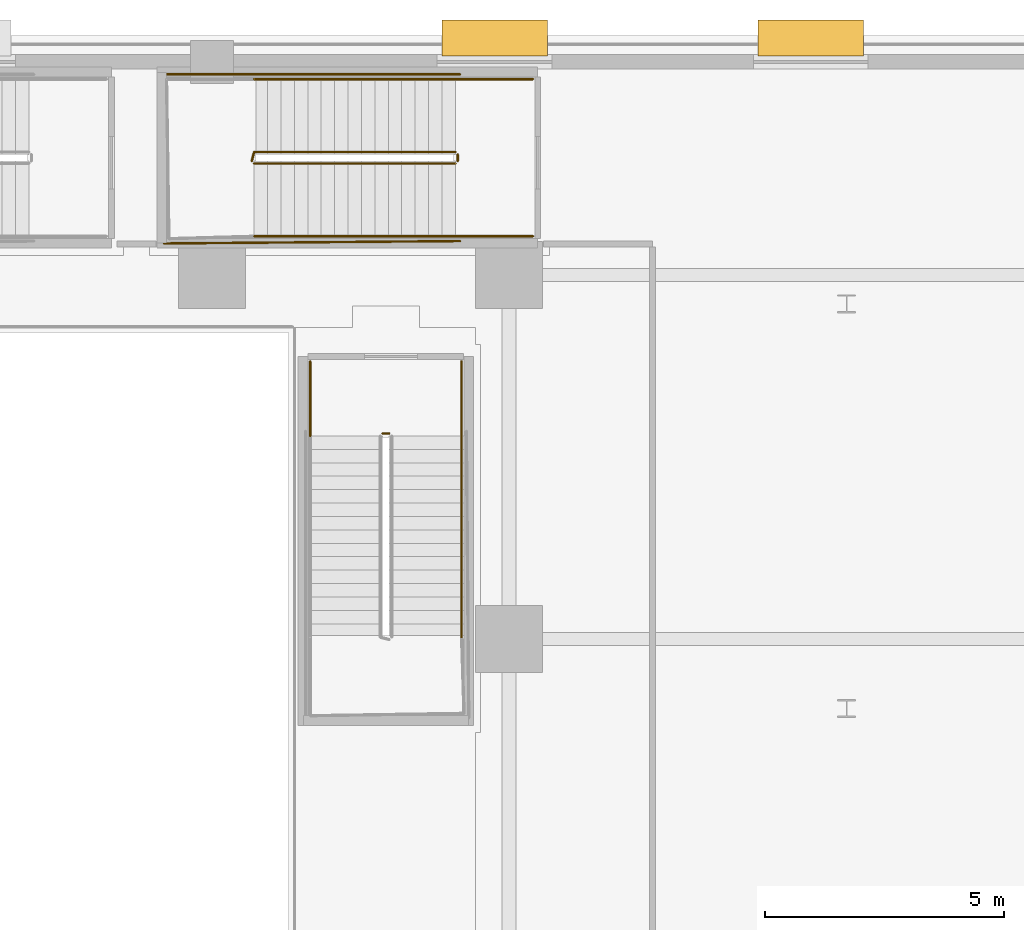
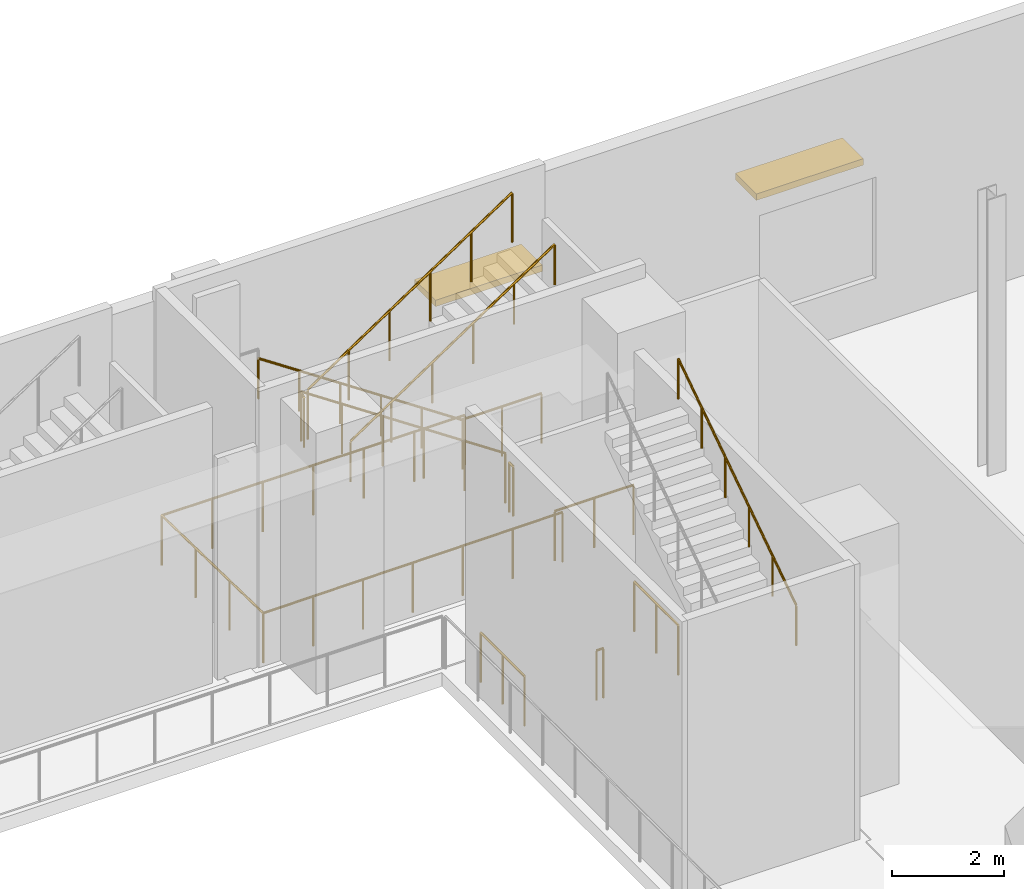
# One storey, part 29 of 29: 12 railings, 2 shading devices.
"""IFC4 building model written with IfcOpenShell, lengths in metres."""

from ifc_helpers import new_model, si_unit, direction, frame, origin, origin_2d, place, context, subcontext, project, spatial, rectangle, circle, extrude, material, layer, layer_set, type_object, element, save


model = new_model("IFC4")

# Units and contexts
model_context = context("Model", 3, precision=1e-05, world=origin(), true_north=direction((0.0, 1.0)))
body_context = subcontext(model_context, "Body", "Model", "MODEL_VIEW")
ifc_project = project(units=[si_unit("LENGTHUNIT", "METRE"), si_unit("AREAUNIT", "SQUARE_METRE"), si_unit("VOLUMEUNIT", "CUBIC_METRE"), si_unit("PLANEANGLEUNIT", "RADIAN"), si_unit("MASSUNIT", "GRAM", prefix="KILO")], contexts=[model_context])

# Site, building, storey
site_placement = place(None, origin())
site = spatial("IfcSite", under=ifc_project, at=site_placement, CompositionType="ELEMENT")
building_placement = place(site_placement, origin())
building = spatial("IfcBuilding", under=site, at=building_placement, Name="Ndaravel Arena Tower", CompositionType="ELEMENT")
storey_placement = place(building_placement, frame((0.0, 0.0, 12.0)))
storey = spatial("IfcBuildingStorey", under=building, at=storey_placement, Name="L02", CompositionType="ELEMENT", Elevation=12.0)

# Railings
ifc_material_1 = material(Name="Steel S355", Category="steel")
ifc_layer_1 = layer(ifc_material_1, 0.06005859375)
ifc_layer_set_1 = layer_set([ifc_layer_1], Name="Steel S355")
railing_type_1 = type_object("IfcRailingType", Name="RAIL-STAIR-GD1100", PredefinedType="GUARDRAIL", material=ifc_layer_set_1)
railing_1_placement = place(storey_placement, frame((69.080078125, 45.570068359375, 0.1875)))
element("IfcRailing", 1, at=railing_1_placement, inside=storey, type_object=railing_type_1, Name="L02 ST-A11 stair guard 1", PredefinedType="GUARDRAIL", context=body_context, shape_type="SweptSolid", body=[
    extrude(circle(Radius=0.02392578125, at=origin_2d()), frame((0.0, 0.0, 1.076171875), z_axis=(-0.830919138977, 0.0, 0.55639319234), x_axis=(0.0, -1.0, 0.0)), (0.0, 0.0, 1.0), 5.054931640625),
    extrude(circle(Radius=0.02392578125, at=origin_2d()), frame((-4.2001953125, 0.0, 3.888671875), z_axis=(-0.253331722487, -0.967379469692, 0.0), x_axis=(0.967379469692, -0.253331722487, 0.0)), (0.0, 0.0, 1.0), 0.196533203125),
    extrude(circle(Radius=0.02099609375, at=origin_2d()), origin(), (0.0, 0.0, 1.0), 1.052001953125),
    extrude(circle(Radius=0.02099609375, at=origin_2d()), frame((-0.840087890625, 0.0, 0.5625)), (0.0, 0.0, 1.0), 1.052001953125),
    extrude(circle(Radius=0.02099609375, at=origin_2d()), frame((-1.68017578125, 0.0, 1.125)), (0.0, 0.0, 1.0), 1.052001953125),
    extrude(circle(Radius=0.02099609375, at=origin_2d()), frame((-2.52001953125, 0.0, 1.6875)), (0.0, 0.0, 1.0), 1.052001953125),
    extrude(circle(Radius=0.02099609375, at=origin_2d()), frame((-3.360107421875, 0.0, 2.25)), (0.0, 0.0, 1.0), 1.052001953125),
    extrude(circle(Radius=0.02099609375, at=origin_2d()), frame((-4.2001953125, 0.0, 2.8125)), (0.0, 0.0, 1.0), 1.052001953125),
    extrude(circle(Radius=0.02099609375, at=origin_2d()), frame((-4.25, -0.190185546875, 2.8125)), (0.0, 0.0, 1.0), 1.052001953125),
])
railing_2_placement = place(storey_placement, frame((64.8798828125, 45.330078125, 3.1875)))
element("IfcRailing", 2, at=railing_2_placement, inside=storey, type_object=railing_type_1, Name="L02 ST-A11 stair guard 3", PredefinedType="GUARDRAIL", context=body_context, shape_type="SweptSolid", body=[
    extrude(circle(Radius=0.02392578125, at=origin_2d()), frame((0.0, 0.0, 1.076171875), z_axis=(0.830919138977, 0.0, 0.55639319234), x_axis=(0.0, 1.0, 0.0)), (0.0, 0.0, 1.0), 5.054931640625),
    extrude(circle(Radius=0.02099609375, at=origin_2d()), origin(), (0.0, 0.0, 1.0), 1.052001953125),
    extrude(circle(Radius=0.02099609375, at=origin_2d()), frame((0.840087890625, 0.0, 0.5625)), (0.0, 0.0, 1.0), 1.052001953125),
    extrude(circle(Radius=0.02099609375, at=origin_2d()), frame((1.68017578125, 0.0, 1.125)), (0.0, 0.0, 1.0), 1.052001953125),
    extrude(circle(Radius=0.02099609375, at=origin_2d()), frame((2.52001953125, 0.0, 1.6875)), (0.0, 0.0, 1.0), 1.052001953125),
    extrude(circle(Radius=0.02099609375, at=origin_2d()), frame((3.360107421875, 0.0, 2.25)), (0.0, 0.0, 1.0), 1.052001953125),
    extrude(circle(Radius=0.02099609375, at=origin_2d()), frame((4.2001953125, 0.0, 2.8125)), (0.0, 0.0, 1.0), 1.052001953125),
])
railing_3_placement = place(storey_placement, frame((69.1298828125, 45.52001953125, 0.0)))
element("IfcRailing", 3, at=railing_3_placement, inside=storey, type_object=railing_type_1, Name="L02 ST-A11 stair guard 4", PredefinedType="GUARDRAIL", context=body_context, shape_type="SweptSolid", body=[
    extrude(circle(Radius=0.02392578125, at=origin_2d()), frame((0.0, 0.0, 1.076171875), z_axis=(0.0, -1.0, 0.0), x_axis=(1.0, 0.0, 0.0)), (0.0, 0.0, 1.0), 0.14013671875),
    extrude(circle(Radius=0.02099609375, at=origin_2d()), origin(), (0.0, 0.0, 1.0), 1.052001953125),
    extrude(circle(Radius=0.02099609375, at=origin_2d()), frame((0.0, -0.14013671875, 0.0)), (0.0, 0.0, 1.0), 1.052001953125),
])
for number, where, name in (
    (4, (70.699951171875, 47.090087890625, 0.0), "L02 ST-A11 stair guard 5"),
    (5, (70.699951171875, 43.81005859375, 0.0), "L02 ST-A11 stair guard 6"),
):
    element("IfcRailing", number, at=place(storey_placement, frame(where)), inside=storey, type_object=railing_type_1, Name=name, PredefinedType="GUARDRAIL", context=body_context, shape_type="SweptSolid", body=[
        extrude(circle(Radius=0.02392578125, at=origin_2d()), frame((0.0, 0.0, 1.076171875), z_axis=(-1.0, 0.0, 0.0), x_axis=(0.0, -1.0, 0.0)), (0.0, 0.0, 1.0), 1.619873046875),
        extrude(circle(Radius=0.02099609375, at=origin_2d()), origin(), (0.0, 0.0, 1.0), 1.052001953125),
        extrude(circle(Radius=0.02099609375, at=origin_2d()), frame((-0.81005859375, 0.0, 0.0)), (0.0, 0.0, 1.0), 1.052001953125),
        extrude(circle(Radius=0.02099609375, at=origin_2d()), frame((-1.619873046875, 0.0, 0.0)), (0.0, 0.0, 1.0), 1.052001953125),
    ])
railing_4_placement = place(storey_placement, frame((69.179931640625, 47.18994140625, 0.0)))
element("IfcRailing", 6, at=railing_4_placement, inside=storey, type_object=railing_type_1, Name="L02 ST-A11 stair guard 7", PredefinedType="GUARDRAIL", context=body_context, shape_type="SweptSolid", body=[
    extrude(circle(Radius=0.02392578125, at=origin_2d()), frame((0.0, 0.0, 1.076171875), z_axis=(-1.0, 0.0, 0.0), x_axis=(0.0, -1.0, 0.0)), (0.0, 0.0, 1.0), 6.22998046875),
    extrude(circle(Radius=0.02392578125, at=origin_2d()), frame((-6.22998046875, 0.0, 1.076171875), z_axis=(0.014176595818, -0.999899507016, 0.0), x_axis=(0.999899507016, 0.014176595818, 0.0)), (0.0, 0.0, 1.0), 3.5302734375),
    extrude(circle(Radius=0.02392578125, at=origin_2d()), frame((-6.179931640625, -3.530029296875, 1.076171875), z_axis=(0.999967207908, 0.008098339889, 0.0), x_axis=(-0.008098339889, 0.999967207908, 0.0)), (0.0, 0.0, 1.0), 6.18017578125),
    extrude(circle(Radius=0.02099609375, at=origin_2d()), origin(), (0.0, 0.0, 1.0), 1.052001953125),
    extrude(circle(Radius=0.02099609375, at=origin_2d()), frame((-1.038330078125, 0.0, 0.0)), (0.0, 0.0, 1.0), 1.052001953125),
    extrude(circle(Radius=0.02099609375, at=origin_2d()), frame((-2.07666015625, 0.0, 0.0)), (0.0, 0.0, 1.0), 1.052001953125),
    extrude(circle(Radius=0.02099609375, at=origin_2d()), frame((-3.114990234375, 0.0, 0.0)), (0.0, 0.0, 1.0), 1.052001953125),
    extrude(circle(Radius=0.02099609375, at=origin_2d()), frame((-4.1533203125, 0.0, 0.0)), (0.0, 0.0, 1.0), 1.052001953125),
    extrude(circle(Radius=0.02099609375, at=origin_2d()), frame((-5.191650390625, 0.0, 0.0)), (0.0, 0.0, 1.0), 1.052001953125),
    extrude(circle(Radius=0.02099609375, at=origin_2d()), frame((-6.22998046875, 0.0, 0.0)), (0.0, 0.0, 1.0), 1.052001953125),
    extrude(circle(Radius=0.02099609375, at=origin_2d()), frame((-6.21337890625, -1.1767578125, 0.0)), (0.0, 0.0, 1.0), 1.052001953125),
    extrude(circle(Radius=0.02099609375, at=origin_2d()), frame((-6.196533203125, -2.353271484375, 0.0)), (0.0, 0.0, 1.0), 1.052001953125),
    extrude(circle(Radius=0.02099609375, at=origin_2d()), frame((-6.179931640625, -3.530029296875, 0.0)), (0.0, 0.0, 1.0), 1.052001953125),
    extrude(circle(Radius=0.02099609375, at=origin_2d()), frame((-5.14990234375, -3.521728515625, 0.0)), (0.0, 0.0, 1.0), 1.052001953125),
    extrude(circle(Radius=0.02099609375, at=origin_2d()), frame((-4.119873046875, -3.513427734375, 0.0)), (0.0, 0.0, 1.0), 1.052001953125),
    extrude(circle(Radius=0.02099609375, at=origin_2d()), frame((-3.08984375, -3.5048828125, 0.0)), (0.0, 0.0, 1.0), 1.052001953125),
    extrude(circle(Radius=0.02099609375, at=origin_2d()), frame((-2.06005859375, -3.49658203125, 0.0)), (0.0, 0.0, 1.0), 1.052001953125),
    extrude(circle(Radius=0.02099609375, at=origin_2d()), frame((-1.030029296875, -3.48828125, 0.0)), (0.0, 0.0, 1.0), 1.052001953125),
    extrude(circle(Radius=0.02099609375, at=origin_2d()), frame((0.0, -3.47998046875, 0.0)), (0.0, 0.0, 1.0), 1.052001953125),
])
railing_5_placement = place(storey_placement, frame((67.56005859375, 39.68994140625, 0.0)))
element("IfcRailing", 7, at=railing_5_placement, inside=storey, type_object=railing_type_1, Name="L02 ST-VOM-4 stair guard 4", PredefinedType="GUARDRAIL", context=body_context, shape_type="SweptSolid", body=[
    extrude(circle(Radius=0.02392578125, at=origin_2d()), frame((0.0, 0.0, 1.076171875), z_axis=(1.0, 0.0, 0.0), x_axis=(0.0, 1.0, 0.0)), (0.0, 0.0, 1.0), 0.139892578125),
    extrude(circle(Radius=0.02099609375, at=origin_2d()), origin(), (0.0, 0.0, 1.0), 1.052001953125),
    extrude(circle(Radius=0.02099609375, at=origin_2d()), frame((0.139892578125, 0.0, 0.0)), (0.0, 0.0, 1.0), 1.052001953125),
])
for number, where, name in (
    (8, (66.050048828125, 41.199951171875, 0.0), "L02 ST-VOM-4 stair guard 5"),
    (9, (69.2099609375, 41.199951171875, 0.0), "L02 ST-VOM-4 stair guard 6"),
):
    element("IfcRailing", number, at=place(storey_placement, frame(where)), inside=storey, type_object=railing_type_1, Name=name, PredefinedType="GUARDRAIL", context=body_context, shape_type="SweptSolid", body=[
        extrude(circle(Radius=0.02392578125, at=origin_2d()), frame((0.0, 0.0, 1.076171875), z_axis=(0.0, -1.0, 0.0), x_axis=(1.0, 0.0, 0.0)), (0.0, 0.0, 1.0), 1.56005859375),
        extrude(circle(Radius=0.02099609375, at=origin_2d()), origin(), (0.0, 0.0, 1.0), 1.052001953125),
        extrude(circle(Radius=0.02099609375, at=origin_2d()), frame((0.0, -0.780029296875, 0.0)), (0.0, 0.0, 1.0), 1.052001953125),
        extrude(circle(Radius=0.02099609375, at=origin_2d()), frame((0.0, -1.56005859375, 0.0)), (0.0, 0.0, 1.0), 1.052001953125),
    ])
ifc_material_2 = material(Name="Steel S355", Category="steel")
ifc_layer_2 = layer(ifc_material_2, 0.050048828125)
ifc_layer_set_2 = layer_set([ifc_layer_2], Name="Steel S355")
railing_type_2 = type_object("IfcRailingType", Name="RAIL-STAIR-HR920", PredefinedType="HANDRAIL", material=ifc_layer_set_2)
railing_6_placement = place(storey_placement, frame((69.080078125, 47.090087890625, 0.1875)))
element("IfcRailing", 10, at=railing_6_placement, inside=storey, type_object=railing_type_2, Name="L02 ST-A11 stair handrail 1", PredefinedType="HANDRAIL", context=body_context, shape_type="SweptSolid", body=[
    extrude(circle(Radius=0.02392578125, at=origin_2d()), frame((0.0, 0.0, 0.8759765625), z_axis=(-0.830919138977, 0.0, 0.55639319234), x_axis=(0.0, -1.0, 0.0)), (0.0, 0.0, 1.0), 5.054931640625),
    extrude(circle(Radius=0.02099609375, at=origin_2d()), origin(), (0.0, 0.0, 1.0), 0.851806640625),
    extrude(circle(Radius=0.02099609375, at=origin_2d()), frame((-0.840087890625, 0.0, 0.5625)), (0.0, 0.0, 1.0), 0.851806640625),
    extrude(circle(Radius=0.02099609375, at=origin_2d()), frame((-1.68017578125, 0.0, 1.125)), (0.0, 0.0, 1.0), 0.851806640625),
    extrude(circle(Radius=0.02099609375, at=origin_2d()), frame((-2.52001953125, 0.0, 1.6875)), (0.0, 0.0, 1.0), 0.851806640625),
    extrude(circle(Radius=0.02099609375, at=origin_2d()), frame((-3.360107421875, 0.0, 2.25)), (0.0, 0.0, 1.0), 0.851806640625),
    extrude(circle(Radius=0.02099609375, at=origin_2d()), frame((-4.2001953125, 0.0, 2.8125)), (0.0, 0.0, 1.0), 0.851806640625),
])
railing_7_placement = place(storey_placement, frame((64.8798828125, 43.81005859375, 3.1875)))
element("IfcRailing", 11, at=railing_7_placement, inside=storey, type_object=railing_type_2, Name="L02 ST-A11 stair handrail 2", PredefinedType="HANDRAIL", context=body_context, shape_type="SweptSolid", body=[
    extrude(circle(Radius=0.02392578125, at=origin_2d()), frame((0.0, 0.0, 0.8759765625), z_axis=(0.830919138977, 0.0, 0.55639319234), x_axis=(0.0, 1.0, 0.0)), (0.0, 0.0, 1.0), 5.054931640625),
    extrude(circle(Radius=0.02099609375, at=origin_2d()), origin(), (0.0, 0.0, 1.0), 0.851806640625),
    extrude(circle(Radius=0.02099609375, at=origin_2d()), frame((0.840087890625, 0.0, 0.5625)), (0.0, 0.0, 1.0), 0.851806640625),
    extrude(circle(Radius=0.02099609375, at=origin_2d()), frame((1.68017578125, 0.0, 1.125)), (0.0, 0.0, 1.0), 0.851806640625),
    extrude(circle(Radius=0.02099609375, at=origin_2d()), frame((2.52001953125, 0.0, 1.6875)), (0.0, 0.0, 1.0), 0.851806640625),
    extrude(circle(Radius=0.02099609375, at=origin_2d()), frame((3.360107421875, 0.0, 2.25)), (0.0, 0.0, 1.0), 0.851806640625),
    extrude(circle(Radius=0.02099609375, at=origin_2d()), frame((4.2001953125, 0.0, 2.8125)), (0.0, 0.0, 1.0), 0.851806640625),
])
railing_8_placement = place(storey_placement, frame((69.2099609375, 35.43994140625, 3.1875)))
element("IfcRailing", 12, at=railing_8_placement, inside=storey, type_object=railing_type_2, Name="L02 ST-VOM-4 stair handrail 2", PredefinedType="HANDRAIL", context=body_context, shape_type="SweptSolid", body=[
    extrude(circle(Radius=0.02392578125, at=origin_2d()), frame((0.0, 0.0, 0.8759765625), z_axis=(0.0, 0.830904186295, 0.556415522067), x_axis=(-1.0, 0.0, 0.0)), (0.0, 0.0, 1.0), 5.0546875),
    extrude(circle(Radius=0.02099609375, at=origin_2d()), origin(), (0.0, 0.0, 1.0), 0.851806640625),
    extrude(circle(Radius=0.02099609375, at=origin_2d()), frame((0.0, 0.840087890625, 0.5625)), (0.0, 0.0, 1.0), 0.851806640625),
    extrude(circle(Radius=0.02099609375, at=origin_2d()), frame((0.0, 1.679931640625, 1.125)), (0.0, 0.0, 1.0), 0.851806640625),
    extrude(circle(Radius=0.02099609375, at=origin_2d()), frame((0.0, 2.52001953125, 1.6875)), (0.0, 0.0, 1.0), 0.851806640625),
    extrude(circle(Radius=0.02099609375, at=origin_2d()), frame((0.0, 3.35986328125, 2.25)), (0.0, 0.0, 1.0), 0.851806640625),
    extrude(circle(Radius=0.02099609375, at=origin_2d()), frame((0.0, 4.199951171875, 2.8125)), (0.0, 0.0, 1.0), 0.851806640625),
])

# Shading devices
ifc_material_3 = material(Name="Aluminium", Category="aluminium")
shading_device_type = type_object("IfcShadingDeviceType", Name="SHD-POD-BRISE", PredefinedType="AWNING", material=ifc_material_3)
for number, where, z_axis, x_axis, name in (
    (13, (69.89990234375, 47.949951171875, 3.330078125), (0.0, 0.0, 1.0), (1.0, 0.0, 0.0), "L02 North Brise-Soleil 07"),
    (14, (76.5, 47.949951171875, 3.330078125), (0.0, 0.0, 1.0), (1.0, 0.0, 0.0), "L02 North Brise-Soleil 08"),
):
    element("IfcShadingDevice", number, at=place(storey_placement, frame(where, z_axis=z_axis, x_axis=x_axis)), inside=storey, type_object=shading_device_type, Name=name, PredefinedType="AWNING", context=body_context, shape_type="SweptSolid", body=[
        extrude(rectangle(XDim=2.199951171875, YDim=0.75, at=origin_2d()), origin(), (0.0, 0.0, 1.0), 0.139892578125),
    ])

save(model, "model.ifc")
